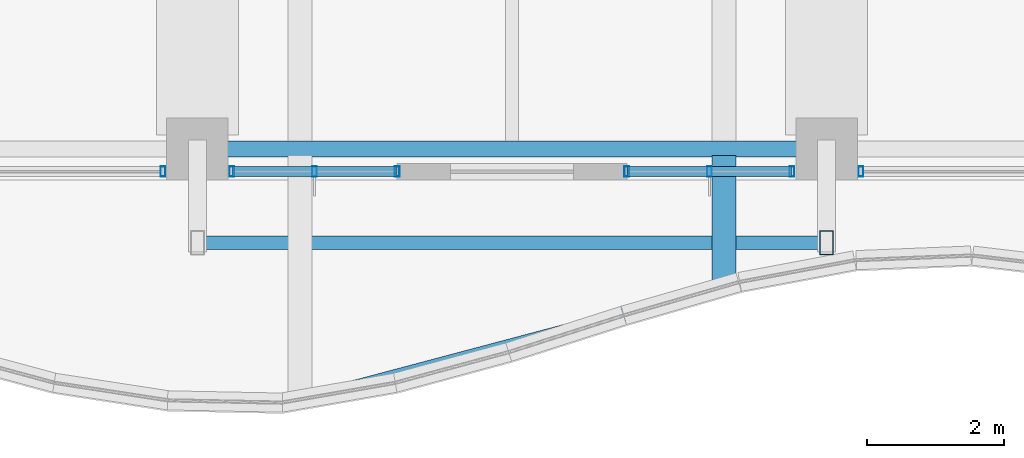
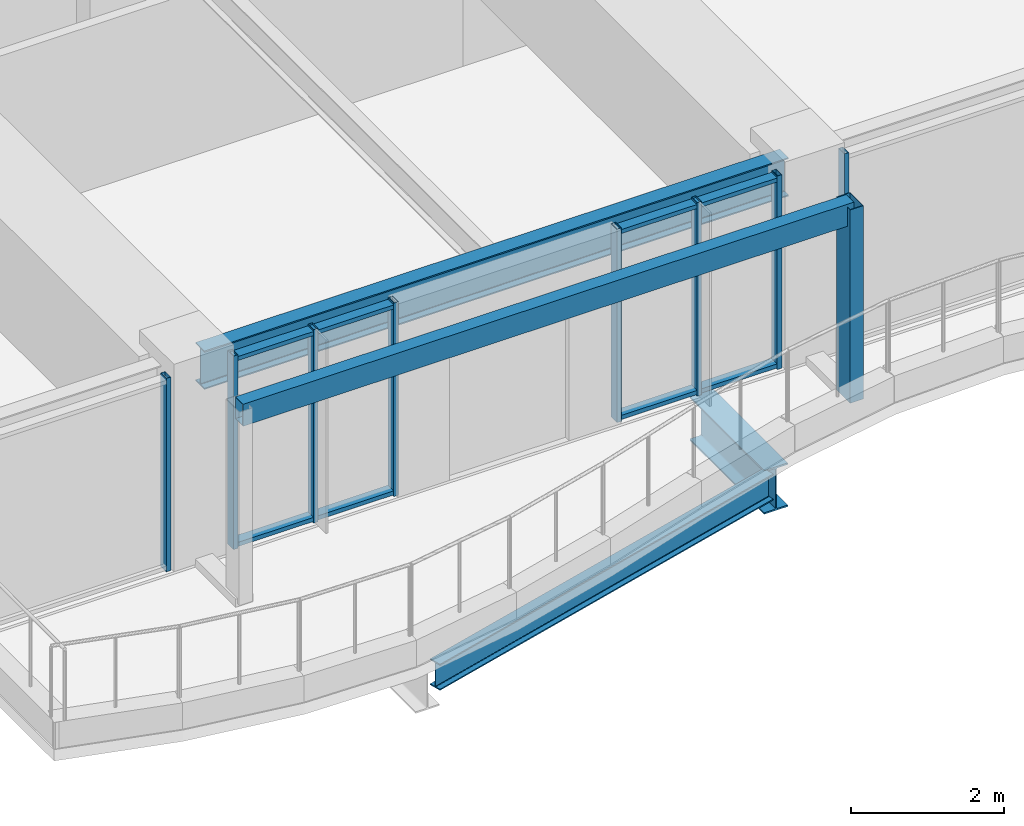
# One storey, part 5 of 37: 14 members, 3 beams, 4 elements without a shape of their own.
"""IFC4 building model written with IfcOpenShell, lengths in metres."""

from ifc_helpers import new_model, si_unit, direction, frame, origin, origin_2d, place, context, subcontext, project, spatial, hollow_rectangle, i_section, extrude, material, material_profile, profile_set, type_object, element, aggregate, save


model = new_model("IFC4")

# Units and contexts
model_context = context("Model", 3, precision=1e-05, world=origin(), true_north=direction((0.0, 1.0)))
body_context = subcontext(model_context, "Body", "Model", "MODEL_VIEW")
ifc_project = project(units=[si_unit("LENGTHUNIT", "METRE"), si_unit("AREAUNIT", "SQUARE_METRE"), si_unit("VOLUMEUNIT", "CUBIC_METRE"), si_unit("PLANEANGLEUNIT", "RADIAN"), si_unit("MASSUNIT", "GRAM", prefix="KILO")], contexts=[model_context])

# Site, building, storey
site_placement = place(None, origin())
site = spatial("IfcSite", under=ifc_project, at=site_placement, CompositionType="ELEMENT")
building_placement = place(site_placement, origin())
building = spatial("IfcBuilding", under=site, at=building_placement, Name="Kolvaren Belvedere", CompositionType="ELEMENT")
storey_placement = place(building_placement, frame((0.0, 0.0, 186.60009765625)))
storey = spatial("IfcBuildingStorey", under=building, at=storey_placement, Name="L54", CompositionType="ELEMENT", Elevation=186.60009765625)

# Beams
ifc_material_1 = material(Name="Structural steel ASTM A992 Grade 50", Category="steel")
ifc_material_profile_1 = material_profile(ifc_material_1, i_section(OverallWidth=0.35498046875, OverallDepth=0.696044921875, WebThickness=0.015380859375, FlangeThickness=0.02490234375, FilletRadius=0.02197265625, at=origin_2d()), Name="W27X146")
ifc_profile_set_1 = profile_set([ifc_material_profile_1], Name="Structural steel ASTM A992 Grade 50")
beam_type_1 = type_object("IfcBeamType", Name="BM-CANT-BAL", PredefinedType="BEAM", material=ifc_profile_set_1)
beam_1_placement = place(storey_placement, frame((3.10009765625, -20.044921875, -0.568115234375), z_axis=(0.0, -1.0, 0.0), x_axis=(1.0, 0.0, 0.0)))
element("IfcBeam", 1, at=beam_1_placement, inside=storey, type_object=beam_type_1, Name="L54 Planted Balcony Cantilever BAL-S-2", PredefinedType="BEAM", context=body_context, shape_type="SweptSolid", body=[
    extrude(i_section(OverallWidth=0.35498046875, OverallDepth=0.696044921875, WebThickness=0.015380859375, FlangeThickness=0.02490234375, FilletRadius=0.02197265625, at=origin_2d()), origin(), (0.0, 0.0, 1.0), 1.94189453125),
])
ifc_material_2 = material(Name="Structural steel ASTM A992 Grade 50", Category="steel")
ifc_material_profile_2 = material_profile(ifc_material_2, i_section(OverallWidth=0.180908203125, OverallDepth=0.4169921875, WebThickness=0.010986328125, FlangeThickness=0.018310546875, FilletRadius=0.013916015625, at=origin_2d()), Name="W16X57")
ifc_profile_set_2 = profile_set([ifc_material_profile_2], Name="Structural steel ASTM A992 Grade 50")
beam_type_2 = type_object("IfcBeamType", Name="BM-EDGE-W16X57", PredefinedType="BEAM", material=ifc_profile_set_2)
beam_2_placement = place(storey_placement, frame((-2.964599609375, -23.5986328125, -0.4287109375), z_axis=(0.966445311896, 0.256872456901, 0.0), x_axis=(-0.256872456901, 0.966445311896, 0.0)))
element("IfcBeam", 2, at=beam_2_placement, inside=storey, type_object=beam_type_2, Name="L54 Balcony Tip Header Beam BAL-S", PredefinedType="BEAM", context=body_context, shape_type="SweptSolid", body=[
    extrude(i_section(OverallWidth=0.180908203125, OverallDepth=0.4169921875, WebThickness=0.010986328125, FlangeThickness=0.018310546875, FilletRadius=0.013916015625, at=origin_2d()), origin(), (0.0, 0.0, 1.0), 6.135009765625),
])
ifc_material_3 = material(Name="Structural steel ASTM A992 Grade 50", Category="steel")
ifc_material_profile_3 = material_profile(ifc_material_3, i_section(OverallWidth=0.22900390625, OverallDepth=0.612060546875, WebThickness=0.011962890625, FlangeThickness=0.01953125, FilletRadius=0.01806640625, at=origin_2d()), Name="W24X84")
ifc_profile_set_3 = profile_set([ifc_material_profile_3], Name="Structural steel ASTM A992 Grade 50")
beam_type_3 = type_object("IfcBeamType", Name="BM-SPAN-W24X84", PredefinedType="SPANDREL", material=ifc_profile_set_3)
beam_3_placement = place(storey_placement, frame((-4.3974609375, -19.949951171875, 2.77392578125), z_axis=(1.0, 0.0, 0.0), x_axis=(0.0, 1.0, 0.0)))
element("IfcBeam", 3, at=beam_3_placement, inside=storey, type_object=beam_type_3, Name="L54 Perimeter Spandrel S2-S3", PredefinedType="SPANDREL", context=body_context, shape_type="SweptSolid", body=[
    extrude(i_section(OverallWidth=0.22900390625, OverallDepth=0.612060546875, WebThickness=0.011962890625, FlangeThickness=0.01953125, FilletRadius=0.01806640625, at=origin_2d()), origin(), (0.0, 0.0, 1.0), 8.794921875),
])

# Curtain wall, member
ifc_material_4 = material(Name="Anodised pale-metal aluminium AA 6063-T6", Category="aluminium")
curtain_wall_type = type_object("IfcCurtainWallType", Name="CW-Z5-HIGH", PredefinedType="NOTDEFINED", material=ifc_material_4)
curtain_wall_1_placement = place(storey_placement, origin())
curtain_wall_1 = element("IfcCurtainWall", 4, at=curtain_wall_1_placement, inside=storey, type_object=curtain_wall_type, Name="L54 Unitised Curtain Wall FCW-L54-S1-B1", PredefinedType="NOTDEFINED")
ifc_material_5 = material(Name="Anodised pale-metal aluminium AA 6063-T6", Category="aluminium")
ifc_material_profile_4 = material_profile(ifc_material_5, hollow_rectangle(XDim=0.070068359375, YDim=0.14990234375, WallThickness=0.004150390625, at=origin_2d()), Name="ALU-MUL-150X70")
ifc_profile_set_4 = profile_set([ifc_material_profile_4], Name="Anodised pale-metal aluminium AA 6063-T6")
member_type_1 = type_object("IfcMemberType", Name="CW-MUL-150", PredefinedType="MULLION", material=ifc_profile_set_4)
member_1_placement = place(storey_placement, frame((5.10498046875, -20.280029296875, 0.0), z_axis=(0.0, 0.0, 1.0), x_axis=(1.0, 0.0, 0.0)))
member_1 = element("IfcMember", 5, at=member_1_placement, type_object=member_type_1, Name="FCW-L54-S1-B1 Unitised Mullion 3", PredefinedType="MULLION", context=body_context, shape_type="SweptSolid", body=[
    extrude(hollow_rectangle(XDim=0.070068359375, YDim=0.14990234375, WallThickness=0.004150390625, at=origin_2d()), origin(), (0.0, 0.0, 1.0), 3.079833984375),
])
aggregate(curtain_wall_1, [member_1])

# Curtain wall, members
curtain_wall_2_placement = place(storey_placement, origin())
curtain_wall_2 = element("IfcCurtainWall", 6, at=curtain_wall_2_placement, inside=storey, type_object=curtain_wall_type, Name="L54 Unitised Curtain Wall FCW-L54-S1-B2", PredefinedType="NOTDEFINED")
member_2_placement = place(storey_placement, frame((4.094970703125, -20.280029296875, 0.0), z_axis=(0.0, 0.0, 1.0), x_axis=(1.0, 0.0, 0.0)))
member_2 = element("IfcMember", 7, at=member_2_placement, type_object=member_type_1, Name="FCW-L54-S1-B2 Unitised Mullion 1", PredefinedType="MULLION", context=body_context, shape_type="SweptSolid", body=[
    extrude(hollow_rectangle(XDim=0.070068359375, YDim=0.14990234375, WallThickness=0.004150390625, at=origin_2d()), origin(), (0.0, 0.0, 1.0), 3.079833984375),
])
member_3_placement = place(storey_placement, frame((2.887451171875, -20.280029296875, 0.0), z_axis=(0.0, 0.0, 1.0), x_axis=(1.0, 0.0, 0.0)))
member_3 = element("IfcMember", 8, at=member_3_placement, type_object=member_type_1, Name="FCW-L54-S1-B2 Unitised Mullion 2", PredefinedType="MULLION", context=body_context, shape_type="SweptSolid", body=[
    extrude(hollow_rectangle(XDim=0.070068359375, YDim=0.14990234375, WallThickness=0.004150390625, at=origin_2d()), origin(), (0.0, 0.0, 1.0), 3.079833984375),
])
member_4_placement = place(storey_placement, frame((1.679931640625, -20.280029296875, 0.0), z_axis=(0.0, 0.0, 1.0), x_axis=(1.0, 0.0, 0.0)))
member_4 = element("IfcMember", 9, at=member_4_placement, type_object=member_type_1, Name="FCW-L54-S1-B2 Unitised Mullion 3", PredefinedType="MULLION", context=body_context, shape_type="SweptSolid", body=[
    extrude(hollow_rectangle(XDim=0.070068359375, YDim=0.14990234375, WallThickness=0.004150390625, at=origin_2d()), origin(), (0.0, 0.0, 1.0), 3.079833984375),
])

curtain_wall_3_placement = place(storey_placement, origin())
curtain_wall_3 = element("IfcCurtainWall", 10, at=curtain_wall_3_placement, inside=storey, type_object=curtain_wall_type, Name="L54 Unitised Curtain Wall FCW-L54-S2-B1", PredefinedType="NOTDEFINED")
member_5_placement = place(storey_placement, frame((-1.679931640625, -20.280029296875, 0.0), z_axis=(0.0, 0.0, 1.0), x_axis=(1.0, 0.0, 0.0)))
member_5 = element("IfcMember", 11, at=member_5_placement, type_object=member_type_1, Name="FCW-L54-S2-B1 Unitised Mullion 1", PredefinedType="MULLION", context=body_context, shape_type="SweptSolid", body=[
    extrude(hollow_rectangle(XDim=0.070068359375, YDim=0.14990234375, WallThickness=0.004150390625, at=origin_2d()), origin(), (0.0, 0.0, 1.0), 3.079833984375),
])
member_6_placement = place(storey_placement, frame((-2.887451171875, -20.280029296875, 0.0), z_axis=(0.0, 0.0, 1.0), x_axis=(1.0, 0.0, 0.0)))
member_6 = element("IfcMember", 12, at=member_6_placement, type_object=member_type_1, Name="FCW-L54-S2-B1 Unitised Mullion 2", PredefinedType="MULLION", context=body_context, shape_type="SweptSolid", body=[
    extrude(hollow_rectangle(XDim=0.070068359375, YDim=0.14990234375, WallThickness=0.004150390625, at=origin_2d()), origin(), (0.0, 0.0, 1.0), 3.079833984375),
])
member_7_placement = place(storey_placement, frame((-4.094970703125, -20.280029296875, 0.0), z_axis=(0.0, 0.0, 1.0), x_axis=(1.0, 0.0, 0.0)))
member_7 = element("IfcMember", 13, at=member_7_placement, type_object=member_type_1, Name="FCW-L54-S2-B1 Unitised Mullion 3", PredefinedType="MULLION", context=body_context, shape_type="SweptSolid", body=[
    extrude(hollow_rectangle(XDim=0.070068359375, YDim=0.14990234375, WallThickness=0.004150390625, at=origin_2d()), origin(), (0.0, 0.0, 1.0), 3.079833984375),
])

# Curtain wall, member
curtain_wall_4_placement = place(storey_placement, origin())
curtain_wall_4 = element("IfcCurtainWall", 14, at=curtain_wall_4_placement, inside=storey, type_object=curtain_wall_type, Name="L54 Unitised Curtain Wall FCW-L54-S2-B2", PredefinedType="NOTDEFINED")
member_8_placement = place(storey_placement, frame((-5.10498046875, -20.280029296875, 0.0), z_axis=(0.0, 0.0, 1.0), x_axis=(1.0, 0.0, 0.0)))
member_8 = element("IfcMember", 15, at=member_8_placement, type_object=member_type_1, Name="FCW-L54-S2-B2 Unitised Mullion 1", PredefinedType="MULLION", context=body_context, shape_type="SweptSolid", body=[
    extrude(hollow_rectangle(XDim=0.070068359375, YDim=0.14990234375, WallThickness=0.004150390625, at=origin_2d()), origin(), (0.0, 0.0, 1.0), 3.079833984375),
])
aggregate(curtain_wall_4, [member_8])

# Member
ifc_material_6 = material(Name="Anodised pale-metal aluminium AA 6063-T6", Category="aluminium")
ifc_material_profile_5 = material_profile(ifc_material_6, hollow_rectangle(XDim=0.06494140625, YDim=0.14990234375, WallThickness=0.00390625, at=origin_2d()), Name="ALU-TRN-150X65")
ifc_profile_set_5 = profile_set([ifc_material_profile_5], Name="Anodised pale-metal aluminium AA 6063-T6")
member_type_2 = type_object("IfcMemberType", Name="CW-TRN-150", PredefinedType="USERDEFINED", material=ifc_profile_set_5)
member_9_placement = place(storey_placement, frame((4.094970703125, -20.280029296875, 0.059814453125), z_axis=(-1.0, 0.0, 0.0), x_axis=(0.0, 0.0, 1.0)))
member_9 = element("IfcMember", 16, at=member_9_placement, type_object=member_type_2, Name="FCW-L54-S1-B2 Sill Transom", ObjectType="TRANSOM", PredefinedType="USERDEFINED", context=body_context, shape_type="SweptSolid", body=[
    extrude(hollow_rectangle(XDim=0.06494140625, YDim=0.14990234375, WallThickness=0.00390625, at=origin_2d()), origin(), (0.0, 0.0, 1.0), 2.4150390625),
])

member_10_placement = place(storey_placement, frame((4.094970703125, -20.280029296875, 3.02001953125), z_axis=(-1.0, 0.0, 0.0), x_axis=(0.0, 0.0, 1.0)))
member_10 = element("IfcMember", 17, at=member_10_placement, type_object=member_type_2, Name="FCW-L54-S1-B2 Head Transom", ObjectType="TRANSOM", PredefinedType="USERDEFINED", context=body_context, shape_type="SweptSolid", body=[
    extrude(hollow_rectangle(XDim=0.06494140625, YDim=0.14990234375, WallThickness=0.00390625, at=origin_2d()), origin(), (0.0, 0.0, 1.0), 2.4150390625),
])

aggregate(curtain_wall_2, [member_2, member_3, member_4, member_9, member_10])

member_11_placement = place(storey_placement, frame((-1.679931640625, -20.280029296875, 0.059814453125), z_axis=(-1.0, 0.0, 0.0), x_axis=(0.0, 0.0, 1.0)))
member_11 = element("IfcMember", 18, at=member_11_placement, type_object=member_type_2, Name="FCW-L54-S2-B1 Sill Transom", ObjectType="TRANSOM", PredefinedType="USERDEFINED", context=body_context, shape_type="SweptSolid", body=[
    extrude(hollow_rectangle(XDim=0.06494140625, YDim=0.14990234375, WallThickness=0.00390625, at=origin_2d()), origin(), (0.0, 0.0, 1.0), 2.4150390625),
])

member_12_placement = place(storey_placement, frame((-1.679931640625, -20.280029296875, 3.02001953125), z_axis=(-1.0, 0.0, 0.0), x_axis=(0.0, 0.0, 1.0)))
member_12 = element("IfcMember", 19, at=member_12_placement, type_object=member_type_2, Name="FCW-L54-S2-B1 Head Transom", ObjectType="TRANSOM", PredefinedType="USERDEFINED", context=body_context, shape_type="SweptSolid", body=[
    extrude(hollow_rectangle(XDim=0.06494140625, YDim=0.14990234375, WallThickness=0.00390625, at=origin_2d()), origin(), (0.0, 0.0, 1.0), 2.4150390625),
])

aggregate(curtain_wall_3, [member_5, member_6, member_7, member_11, member_12])

# Members
ifc_material_7 = material(Name="Anodised pale-metal aluminium AA 6063-T6", Category="aluminium")
ifc_material_profile_6 = material_profile(ifc_material_7, hollow_rectangle(XDim=0.199951171875, YDim=0.35009765625, WallThickness=0.007568359375, at=origin_2d()), Name="ALU-PF-350X200")
ifc_profile_set_6 = profile_set([ifc_material_profile_6], Name="Anodised pale-metal aluminium AA 6063-T6")
member_type_3 = type_object("IfcMemberType", Name="PF-FRAME-350", PredefinedType="USERDEFINED", material=ifc_profile_set_6)
member_13_placement = place(storey_placement, frame((4.60009765625, -21.320068359375, 0.0), z_axis=(0.0, 0.0, 1.0), x_axis=(1.0, 0.0, 0.0)))
element("IfcMember", 20, at=member_13_placement, inside=storey, type_object=member_type_3, Name="L54 Outboard Picture-Frame Vertical S1", ObjectType="PICTURE FRAME FIN", PredefinedType="USERDEFINED", context=body_context, shape_type="SweptSolid", body=[
    extrude(hollow_rectangle(XDim=0.199951171875, YDim=0.35009765625, WallThickness=0.007568359375, at=origin_2d()), origin(), (0.0, 0.0, 1.0), 3.079833984375),
])
member_14_placement = place(storey_placement, frame((4.60009765625, -21.320068359375, 2.949951171875), z_axis=(-1.0, 0.0, 0.0), x_axis=(0.0, -1.0, 0.0)))
element("IfcMember", 21, at=member_14_placement, inside=storey, type_object=member_type_3, Name="L54 Outboard Picture-Frame Head S", ObjectType="PICTURE FRAME FIN", PredefinedType="USERDEFINED", context=body_context, shape_type="SweptSolid", body=[
    extrude(hollow_rectangle(XDim=0.199951171875, YDim=0.35009765625, WallThickness=0.007568359375, at=origin_2d()), origin(), (0.0, 0.0, 1.0), 9.2001953125),
])

save(model, "model.ifc")
